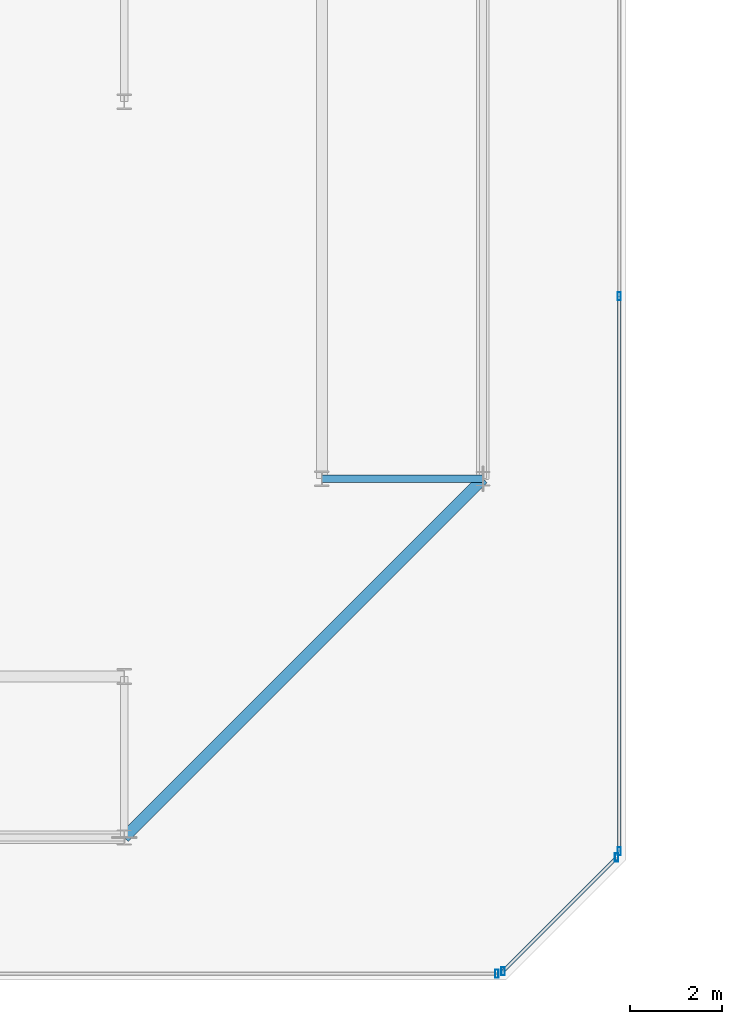
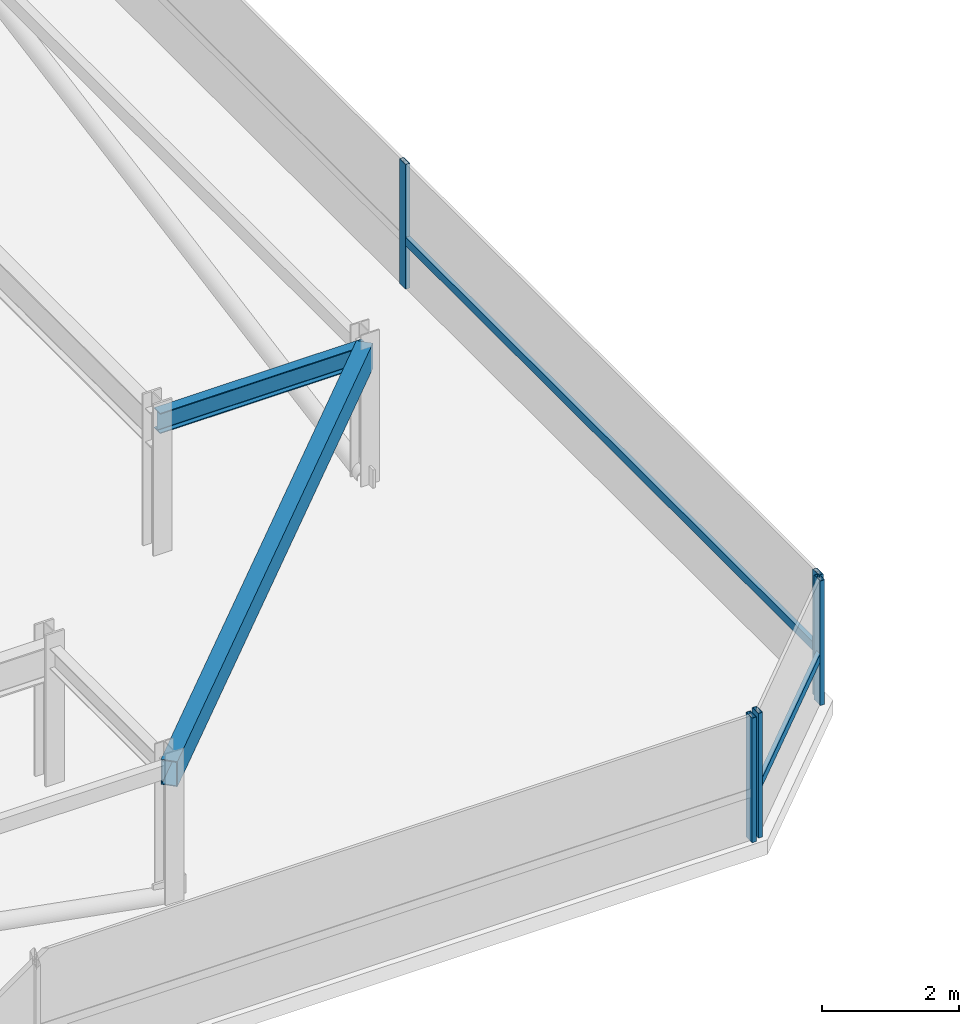
# One storey, part 16 of 42: 7 members, 2 beams, 3 elements without a shape of their own.
"""IFC4 building model written with IfcOpenShell, lengths in metres."""

import ifcopenshell
import ifcopenshell.guid

model = None  # the IFC model being written
_history = None  # IfcOwnerHistory: only IFC2X3 demands one
_inside = {}  # id of a spatial element -> (the spatial element, [elements in it])
_under = {}  # id of a project, library or spatial element -> (it, [spatial elements below it])
_declared = {}  # id of a project -> (the project, [libraries it declares])
_typed = {}  # id of a type object -> (the type object, [elements of that type])
_made_of = {}  # id of a material, layer set ... -> (it, [elements and type objects made of it])


def new_model(schema):
    """Start an empty IFC model of exactly this schema.

    Asked for "IFC4X3", IfcOpenShell would pick the latest addendum, in which some entities
    have other attributes; the version numbers below select the first issue.
    IFC2X3 requires an IfcOwnerHistory on every rooted entity: one is made here for all.
    """
    global model, _history
    if schema == "IFC4X3":
        model = ifcopenshell.file(schema_version=(4, 3, 0, 0))
    else:
        model = ifcopenshell.file(schema=schema)
    _inside.clear()
    _under.clear()
    _declared.clear()
    _typed.clear()
    _made_of.clear()
    _history = None
    if model.schema == "IFC2X3":
        org = make("IfcOrganization", Name="unknown")
        user = make(
            "IfcPersonAndOrganization",
            ThePerson=make("IfcPerson", FamilyName="unknown"),
            TheOrganization=org,
        )
        app = make(
            "IfcApplication",
            ApplicationDeveloper=org,
            Version="unknown",
            ApplicationFullName="unknown",
            ApplicationIdentifier="unknown",
        )
        _history = make(
            "IfcOwnerHistory",
            OwningUser=user,
            OwningApplication=app,
            ChangeAction="ADDED",
            CreationDate=0,
        )
    return model


def make(cls, **values):
    """One entity of the class cls with the attributes given. An attribute that is None is left unset."""
    return model.create_entity(
        cls, **{name: value for name, value in values.items() if value is not None}
    )


def rooted(cls, **values):
    """An entity with a GlobalId (a new one), such as an element, a storey or a relation."""
    return make(cls, GlobalId=ifcopenshell.guid.new(), OwnerHistory=_history, **values)


def si_unit(unit_type, name, prefix=None):
    """IfcSIUnit, for example si_unit("LENGTHUNIT", "METRE", prefix="MILLI")."""
    return make("IfcSIUnit", UnitType=unit_type, Prefix=prefix, Name=name)


def assignment(units):
    """IfcUnitAssignment: the units of a project."""
    return None if units is None else make("IfcUnitAssignment", Units=units)


def point(xyz):
    """IfcCartesianPoint."""
    return None if xyz is None else make("IfcCartesianPoint", Coordinates=xyz)


def direction(xyz):
    """IfcDirection."""
    return None if xyz is None else make("IfcDirection", DirectionRatios=xyz)


def frame(location, z_axis=None, x_axis=None):
    """IfcAxis2Placement3D, a coordinate frame: its origin and axes. An axis left out is left unset."""
    return make(
        "IfcAxis2Placement3D",
        Location=point(location),
        Axis=direction(z_axis),
        RefDirection=direction(x_axis),
    )


def frame_2d(location, x_axis=None):
    """IfcAxis2Placement2D, a coordinate frame in the plane: its origin and x axis."""
    return make(
        "IfcAxis2Placement2D", Location=point(location), RefDirection=direction(x_axis)
    )


def origin():
    """The frame at (0, 0, 0) with its axes left unset."""
    return frame((0.0, 0.0, 0.0))


def origin_2d():
    """The frame at (0, 0) in the plane with its x axis left unset."""
    return frame_2d((0.0, 0.0))


def place(relative_to, where):
    """IfcLocalPlacement: puts the frame where relative to a parent placement (None: the world)."""
    return make(
        "IfcLocalPlacement", PlacementRelTo=relative_to, RelativePlacement=where
    )


def context(
    kind, dimensions, precision=None, world=None, true_north=None, identifier=None
):
    """IfcGeometricRepresentationContext, for example the 3D "Model" context."""
    return make(
        "IfcGeometricRepresentationContext",
        ContextIdentifier=identifier,
        ContextType=kind,
        CoordinateSpaceDimension=dimensions,
        Precision=precision,
        WorldCoordinateSystem=world,
        TrueNorth=true_north,
    )


def subcontext(parent, identifier, kind, view, scale=None):
    """IfcGeometricRepresentationSubContext, for example "Body" below "Model"."""
    return make(
        "IfcGeometricRepresentationSubContext",
        ContextIdentifier=identifier,
        ContextType=kind,
        ParentContext=parent,
        TargetScale=scale,
        TargetView=view,
    )


def project(units=None, contexts=None):
    """IfcProject with its units and contexts."""
    return rooted(
        "IfcProject",
        Name="project",
        RepresentationContexts=contexts,
        UnitsInContext=assignment(units),
    )


def spatial(cls, under=None, at=None, **own):
    """A site, building, storey or space (cls), placed at a placement, below another one or the project."""
    s = rooted(cls, ObjectPlacement=at, **own)
    if under is not None:
        _under.setdefault(under.id(), (under, []))[1].append(s)
    return s


def profile(cls, at=None, kind="AREA", **sizes):
    """A parametric profile (cls). Its sizes go by their IFC names, for example OverallWidth=200.0."""
    return make(cls, ProfileType=kind, Position=at, **sizes)


def hollow_rectangle(**sizes):
    """IfcRectangleHollowProfileDef."""
    return profile("IfcRectangleHollowProfileDef", **sizes)


def i_section(**sizes):
    """IfcIShapeProfileDef."""
    return profile("IfcIShapeProfileDef", **sizes)


def extrude(swept, where, along, depth):
    """IfcExtrudedAreaSolid: the profile swept, set in the frame where, extruded along a direction by depth."""
    return make(
        "IfcExtrudedAreaSolid",
        SweptArea=swept,
        Position=where,
        ExtrudedDirection=direction(along),
        Depth=depth,
    )


def shape(context_of_items, identifier, shape_type, items):
    """IfcShapeRepresentation: the items that make up one representation, for example the "Body"."""
    return make(
        "IfcShapeRepresentation",
        ContextOfItems=context_of_items,
        RepresentationIdentifier=identifier,
        RepresentationType=shape_type,
        Items=items,
    )


def material(Name=None, Category=None):
    """IfcMaterial."""
    return make("IfcMaterial", Name=Name, Category=Category)


def material_profile(
    of_material, cross_section, Name=None, Category=None, Priority=None
):
    """IfcMaterialProfile: a cross section and its material."""
    return make(
        "IfcMaterialProfile",
        Name=Name,
        Material=of_material,
        Profile=cross_section,
        Priority=Priority,
        Category=Category,
    )


def profile_set(profiles, Name=None, composite=None):
    """IfcMaterialProfileSet."""
    return make(
        "IfcMaterialProfileSet",
        Name=Name,
        MaterialProfiles=profiles,
        CompositeProfile=composite,
    )


def made_of(thing, what):
    """Note that an element or type object is made of a material, layer set ...; save() writes the relation."""
    if what is not None:
        _made_of.setdefault(what.id(), (what, []))[1].append(thing)
    return thing


def type_object(cls, material=None, **own):
    """A type object (cls), such as IfcWallType, which elements share."""
    return made_of(rooted(cls, **own), material)


def element(
    cls,
    number,
    at=None,
    inside=None,
    cuts=None,
    type_object=None,
    material=None,
    context=None,
    identifier="Body",
    shape_type=None,
    held_by="IfcProductDefinitionShape",
    body=None,
    shapes=None,
    **own,
):
    """One element of the class cls, such as IfcWall. Its Tag is "e" and its number.

    at: its placement. inside: the storey or other place that contains it. cuts: it is an
    opening in that element (IfcRelVoidsElement). A single representation is given by context,
    identifier, shape_type and body (its items); several are given by shapes. held_by: the class
    of the entity that holds the representations. save() writes the other relations.
    """
    e = rooted(cls, Tag="e%d" % number, ObjectPlacement=at, **own)
    if body is not None:
        shapes = [shape(context, identifier, shape_type, body)]
    if shapes is not None:
        e.Representation = make(held_by, Representations=shapes)
    if inside is not None:
        _inside.setdefault(inside.id(), (inside, []))[1].append(e)
    if cuts is not None:
        rooted(
            "IfcRelVoidsElement", RelatingBuildingElement=cuts, RelatedOpeningElement=e
        )
    if type_object is not None:
        _typed.setdefault(type_object.id(), (type_object, []))[1].append(e)
    return made_of(e, material)


def aggregate(whole, parts):
    """IfcRelAggregates: a whole, such as a stair, and the parts it consists of."""
    return rooted("IfcRelAggregates", RelatingObject=whole, RelatedObjects=parts)


def save(model, path):
    """Write the relations noted so far, then the file.

    IfcRelAggregates (storeys below a building ...), IfcRelContainedInSpatialStructure (elements
    in a storey), IfcRelDefinesByType, IfcRelAssociatesMaterial and IfcRelDeclares: one each for
    every whole, place, type object, material and project.
    """
    for whole, parts in _under.values():
        aggregate(whole, parts)
    for where, things in _inside.values():
        rooted(
            "IfcRelContainedInSpatialStructure",
            RelatedElements=things,
            RelatingStructure=where,
        )
    for kind, things in _typed.values():
        rooted("IfcRelDefinesByType", RelatedObjects=things, RelatingType=kind)
    for what, things in _made_of.values():
        rooted("IfcRelAssociatesMaterial", RelatedObjects=things, RelatingMaterial=what)
    for by, libraries in _declared.values():
        rooted("IfcRelDeclares", RelatingContext=by, RelatedDefinitions=libraries)
    model.write(path)


model = new_model("IFC4")

# Units and contexts
model_context = context("Model", 3, precision=1e-05, world=origin(), true_north=direction((0.0, 1.0)))
body_context = subcontext(model_context, "Body", "Model", "MODEL_VIEW")
ifc_project = project(units=[si_unit("LENGTHUNIT", "METRE"), si_unit("AREAUNIT", "SQUARE_METRE"), si_unit("VOLUMEUNIT", "CUBIC_METRE"), si_unit("PLANEANGLEUNIT", "RADIAN"), si_unit("MASSUNIT", "GRAM", prefix="KILO")], contexts=[model_context])

# Site, building, storey
site_placement = place(None, origin())
site = spatial("IfcSite", under=ifc_project, at=site_placement, CompositionType="ELEMENT")
building_placement = place(site_placement, origin())
building = spatial("IfcBuilding", under=site, at=building_placement, Name="Thornwick Lancets Civic Towers", CompositionType="ELEMENT")
storey_placement = place(building_placement, frame((0.0, 0.0, 289.5)))
storey = spatial("IfcBuildingStorey", under=building, at=storey_placement, Name="C04", CompositionType="ELEMENT", Elevation=289.5)

# Beams
ifc_material_1 = material(Name="Steel S355JR", Category="steel")
ifc_material_profile_1 = material_profile(ifc_material_1, i_section(OverallWidth=0.173095703125, OverallDepth=0.36328125, WebThickness=0.009033203125, FlangeThickness=0.015625, FilletRadius=0.01025390625, at=origin_2d()), Name="UKB 356x171x67")
ifc_profile_set_1 = profile_set([ifc_material_profile_1], Name="Steel S355JR")
beam_type_1 = type_object("IfcBeamType", Name="BM_JOIST_356_67", PredefinedType="JOIST", material=ifc_profile_set_1)
beam_1_placement = place(storey_placement, frame((42.800048828125, 14.0, 2.25830078125), z_axis=(1.0, 0.0, 0.0), x_axis=(0.0, 1.0, 0.0)))
element("IfcBeam", 1, at=beam_1_placement, inside=storey, type_object=beam_type_1, Name="BM-RAD-C04-A04", PredefinedType="JOIST", context=body_context, shape_type="SweptSolid", body=[
    extrude(i_section(OverallWidth=0.173095703125, OverallDepth=0.36328125, WebThickness=0.009033203125, FlangeThickness=0.015625, FilletRadius=0.01025390625, at=origin_2d()), origin(), (0.0, 0.0, 1.0), 3.5),
])
ifc_material_profile_2 = material_profile(ifc_material_1, hollow_rectangle(XDim=0.25, YDim=0.449951171875, WallThickness=0.01611328125, at=origin_2d()), Name="RHS 450x250x16")
ifc_profile_set_2 = profile_set([ifc_material_profile_2], Name="Steel S355JR")
beam_type_2 = type_object("IfcBeamType", Name="BM_RING_RHS450", PredefinedType="BEAM", material=ifc_profile_set_2)
beam_2_placement = place(storey_placement, frame((38.5, 6.199951171875, 2.215087890625), z_axis=(0.707106781187, 0.707106781187, 0.0), x_axis=(-0.707106781187, 0.707106781187, 0.0)))
element("IfcBeam", 2, at=beam_2_placement, inside=storey, type_object=beam_type_2, Name="BM-CHAMF-C04-A-C0", PredefinedType="BEAM", context=body_context, shape_type="SweptSolid", body=[
    extrude(hollow_rectangle(XDim=0.25, YDim=0.449951171875, WallThickness=0.01611328125, at=origin_2d()), origin(), (0.0, 0.0, 1.0), 11.031005859375),
])

# Curtain wall, member
ifc_material_2 = material(Name="Crown ring acoustic-louvre and glazing screen wall", Category="glass")
curtain_wall_type = type_object("IfcCurtainWallType", Name="CW_SYS_07", PredefinedType="NOTDEFINED", material=ifc_material_2)
curtain_wall_1_placement = place(storey_placement, origin())
curtain_wall_1 = element("IfcCurtainWall", 3, at=curtain_wall_1_placement, inside=storey, type_object=curtain_wall_type, Name="C04 Curtain Wall CW-C04-A-E0", PredefinedType="NOTDEFINED")
ifc_material_3 = material(Name="Thermally broken bronze aluminium S355", Category="steel")
ifc_material_profile_3 = material_profile(ifc_material_3, hollow_rectangle(XDim=0.074951171875, YDim=0.179931640625, WallThickness=0.006103515625, at=origin_2d()), Name="RHS 180x75x6")
ifc_profile_set_3 = profile_set([ifc_material_profile_3], Name="Thermally broken bronze aluminium S355")
member_type_1 = type_object("IfcMemberType", Name="CW_MUL_180", PredefinedType="MULLION", material=ifc_profile_set_3)
member_1_placement = place(storey_placement, frame((46.601318359375, 3.2353515625, 0.0), z_axis=(0.0, 0.0, 1.0), x_axis=(1.0, 0.0, 0.0)))
member_1 = element("IfcMember", 4, at=member_1_placement, type_object=member_type_1, Name="CW-C04-A-E0 Mullion 3", PredefinedType="MULLION", context=body_context, shape_type="SweptSolid", body=[
    extrude(hollow_rectangle(XDim=0.074951171875, YDim=0.179931640625, WallThickness=0.006103515625, at=origin_2d()), origin(), (0.0, 0.0, 1.0), 2.219970703125),
])
aggregate(curtain_wall_1, [member_1])

# Curtain wall, members
curtain_wall_2_placement = place(storey_placement, origin())
curtain_wall_2 = element("IfcCurtainWall", 5, at=curtain_wall_2_placement, inside=storey, type_object=curtain_wall_type, Name="C04 Curtain Wall CW-C04-A-E1", PredefinedType="NOTDEFINED")
member_2_placement = place(storey_placement, frame((46.738037109375, 3.2919921875, 0.0), z_axis=(0.0, 0.0, 1.0), x_axis=(1.0, 0.0, 0.0)))
member_2 = element("IfcMember", 6, at=member_2_placement, type_object=member_type_1, Name="CW-C04-A-E1 Mullion 0", PredefinedType="MULLION", context=body_context, shape_type="SweptSolid", body=[
    extrude(hollow_rectangle(XDim=0.074951171875, YDim=0.179931640625, WallThickness=0.006103515625, at=origin_2d()), origin(), (0.0, 0.0, 1.0), 2.219970703125),
])
member_3_placement = place(storey_placement, frame((49.2080078125, 5.761962890625, 0.0), z_axis=(0.0, 0.0, 1.0), x_axis=(1.0, 0.0, 0.0)))
member_3 = element("IfcMember", 7, at=member_3_placement, type_object=member_type_1, Name="CW-C04-A-E1 Mullion 1", PredefinedType="MULLION", context=body_context, shape_type="SweptSolid", body=[
    extrude(hollow_rectangle(XDim=0.074951171875, YDim=0.179931640625, WallThickness=0.006103515625, at=origin_2d()), origin(), (0.0, 0.0, 1.0), 2.219970703125),
])

curtain_wall_3_placement = place(storey_placement, origin())
curtain_wall_3 = element("IfcCurtainWall", 8, at=curtain_wall_3_placement, inside=storey, type_object=curtain_wall_type, Name="C04 Curtain Wall CW-C04-A-E2", PredefinedType="NOTDEFINED")
member_4_placement = place(storey_placement, frame((49.2646484375, 5.898681640625, 0.0), z_axis=(0.0, 0.0, 1.0), x_axis=(1.0, 0.0, 0.0)))
member_4 = element("IfcMember", 9, at=member_4_placement, type_object=member_type_1, Name="CW-C04-A-E2 Mullion 0", PredefinedType="MULLION", context=body_context, shape_type="SweptSolid", body=[
    extrude(hollow_rectangle(XDim=0.074951171875, YDim=0.179931640625, WallThickness=0.006103515625, at=origin_2d()), origin(), (0.0, 0.0, 1.0), 2.219970703125),
])
member_5_placement = place(storey_placement, frame((49.2646484375, 17.96630859375, 0.0), z_axis=(0.0, 0.0, 1.0), x_axis=(1.0, 0.0, 0.0)))
member_5 = element("IfcMember", 10, at=member_5_placement, type_object=member_type_1, Name="CW-C04-A-E2 Mullion 1", PredefinedType="MULLION", context=body_context, shape_type="SweptSolid", body=[
    extrude(hollow_rectangle(XDim=0.074951171875, YDim=0.179931640625, WallThickness=0.006103515625, at=origin_2d()), origin(), (0.0, 0.0, 1.0), 2.219970703125),
])

# Member
ifc_material_profile_4 = material_profile(ifc_material_3, hollow_rectangle(XDim=0.074951171875, YDim=0.14990234375, WallThickness=0.0048828125, at=origin_2d()), Name="RHS 150x75x5")
ifc_profile_set_4 = profile_set([ifc_material_profile_4], Name="Thermally broken bronze aluminium S355")
member_type_2 = type_object("IfcMemberType", Name="CW_TRN_150", PredefinedType="USERDEFINED", material=ifc_profile_set_4)
member_6_placement = place(storey_placement, frame((46.752197265625, 3.30615234375, 0.85009765625), z_axis=(0.707106781187, 0.707106781187, 0.0), x_axis=(-0.707106781187, 0.707106781187, 0.0)))
member_6 = element("IfcMember", 11, at=member_6_placement, type_object=member_type_2, Name="CW-C04-A-E1 Transom 0", ObjectType="TRANSOM", PredefinedType="USERDEFINED", context=body_context, shape_type="SweptSolid", body=[
    extrude(hollow_rectangle(XDim=0.074951171875, YDim=0.14990234375, WallThickness=0.0048828125, at=origin_2d()), origin(), (0.0, 0.0, 1.0), 3.453125),
])

aggregate(curtain_wall_2, [member_2, member_3, member_6])

member_7_placement = place(storey_placement, frame((49.2646484375, 5.918701171875, 0.85009765625), z_axis=(0.0, 1.0, 0.0), x_axis=(-1.0, 0.0, 0.0)))
member_7 = element("IfcMember", 12, at=member_7_placement, type_object=member_type_2, Name="CW-C04-A-E2 Transom 0", ObjectType="TRANSOM", PredefinedType="USERDEFINED", context=body_context, shape_type="SweptSolid", body=[
    extrude(hollow_rectangle(XDim=0.074951171875, YDim=0.14990234375, WallThickness=0.0048828125, at=origin_2d()), origin(), (0.0, 0.0, 1.0), 12.027587890625),
])

aggregate(curtain_wall_3, [member_4, member_5, member_7])

save(model, "model.ifc")
